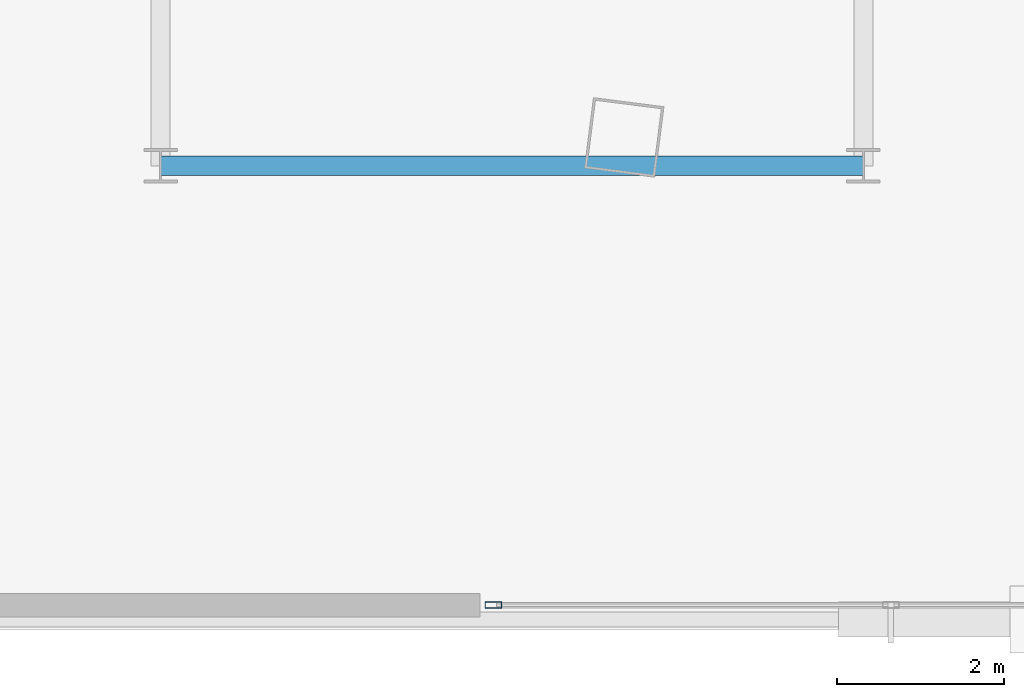
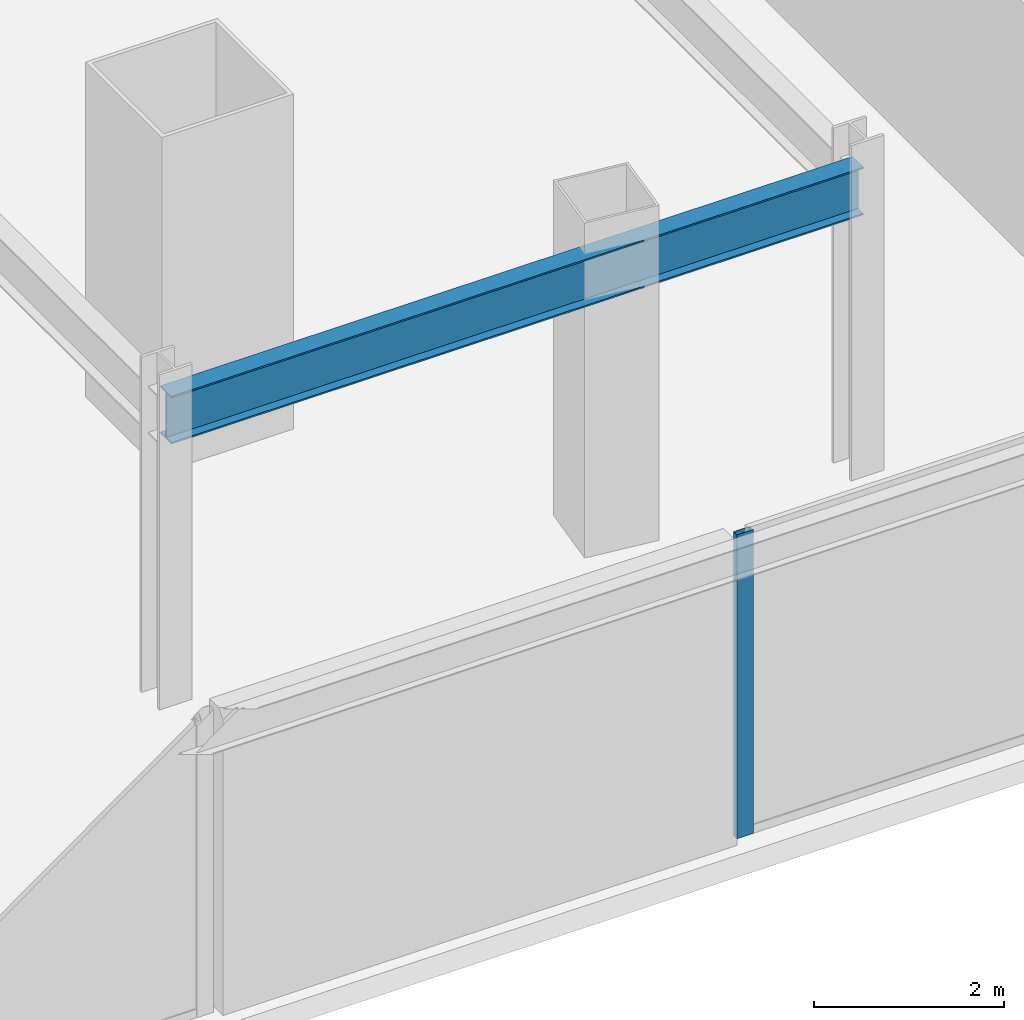
# One storey, part 4 of 46: 1 beam, 1 member, 1 element without a shape of its own.
"""IFC4 building model written with IfcOpenShell, lengths in metres."""

from ifc_helpers import new_model, si_unit, direction, frame, origin, origin_2d, place, context, subcontext, project, spatial, hollow_rectangle, i_section, extrude, material, layer, layer_set, material_profile, profile_set, type_object, element, aggregate, save


model = new_model("IFC4")

# Units and contexts
model_context = context("Model", 3, precision=1e-05, world=origin(), true_north=direction((0.0, 1.0)))
body_context = subcontext(model_context, "Body", "Model", "MODEL_VIEW")
ifc_project = project(units=[si_unit("LENGTHUNIT", "METRE"), si_unit("AREAUNIT", "SQUARE_METRE"), si_unit("VOLUMEUNIT", "CUBIC_METRE"), si_unit("PLANEANGLEUNIT", "RADIAN"), si_unit("MASSUNIT", "GRAM", prefix="KILO")], contexts=[model_context])

# Site, building, storey
site_placement = place(None, origin())
site = spatial("IfcSite", under=ifc_project, at=site_placement, CompositionType="ELEMENT")
building_placement = place(site_placement, origin())
building = spatial("IfcBuilding", under=site, at=building_placement, Name="Orvanel Arch Residences", CompositionType="ELEMENT")
storey_placement = place(building_placement, frame((0.0, 0.0, 14.10009765625)))
storey = spatial("IfcBuildingStorey", under=building, at=storey_placement, Name="L03", CompositionType="ELEMENT", Elevation=14.10009765625)

# Beam
ifc_material_1 = material(Name="Structural steel AS/NZS 3679.1 Grade 300 (300 MPa)", Category="steel")
ifc_material_profile_1 = material_profile(ifc_material_1, i_section(OverallWidth=0.22900390625, OverallDepth=0.612060546875, WebThickness=0.011962890625, FlangeThickness=0.01953125, at=origin_2d()), Name="610UB125")
ifc_profile_set_1 = profile_set([ifc_material_profile_1], Name="Structural steel AS/NZS 3679.1 Grade 300 (300 MPa)")
beam_type = type_object("IfcBeamType", Name="BG-610UB", PredefinedType="BEAM", material=ifc_profile_set_1)
beam_placement = place(storey_placement, frame((11.39990234375, 6.0, 3.593994140625), z_axis=(1.0, 0.0, 0.0), x_axis=(0.0, 1.0, 0.0)))
element("IfcBeam", 1, at=beam_placement, inside=storey, type_object=beam_type, Name="L03 BG-610UB beam", PredefinedType="BEAM", context=body_context, shape_type="SweptSolid", body=[
    extrude(i_section(OverallWidth=0.22900390625, OverallDepth=0.612060546875, WebThickness=0.011962890625, FlangeThickness=0.01953125, at=origin_2d()), origin(), (0.0, 0.0, 1.0), 8.400146484375),
])

# Curtain wall, member
ifc_material_2 = material(Name="Bronze-anodised aluminium AA6063-T6", Category="aluminium")
ifc_layer = layer(ifc_material_2, 0.199951171875)
ifc_layer_set = layer_set([ifc_layer], Name="Bronze-anodised aluminium AA6063-T6")
curtain_wall_type = type_object("IfcCurtainWallType", Name="CW1-POD-SYS", PredefinedType="NOTDEFINED", material=ifc_layer_set)
curtain_wall_placement = place(storey_placement, origin())
curtain_wall = element("IfcCurtainWall", 2, at=curtain_wall_placement, inside=storey, type_object=curtain_wall_type, Name="L03 CW1-POD-SYS Unitised Curtain Wall", PredefinedType="NOTDEFINED")
ifc_material_profile_2 = material_profile(ifc_material_2, hollow_rectangle(XDim=0.074951171875, YDim=0.199951171875, WallThickness=0.0048828125, at=origin_2d()), Name="ALU200x75x5")
ifc_profile_set_2 = profile_set([ifc_material_profile_2], Name="Bronze-anodised aluminium AA6063-T6")
member_type = type_object("IfcMemberType", Name="MUL-200x75", PredefinedType="MULLION", material=ifc_profile_set_2)
member_placement = place(storey_placement, frame((15.37744140625, 0.75, 0.0), z_axis=(0.0, 0.0, 1.0), x_axis=(0.0, 1.0, 0.0)))
member = element("IfcMember", 3, at=member_placement, type_object=member_type, Name="CW-S1 mullion 1", PredefinedType="MULLION", context=body_context, shape_type="SweptSolid", body=[
    extrude(hollow_rectangle(XDim=0.074951171875, YDim=0.199951171875, WallThickness=0.0048828125, at=origin_2d()), origin(), (0.0, 0.0, 1.0), 3.89990234375),
])
aggregate(curtain_wall, [member])

save(model, "model.ifc")
